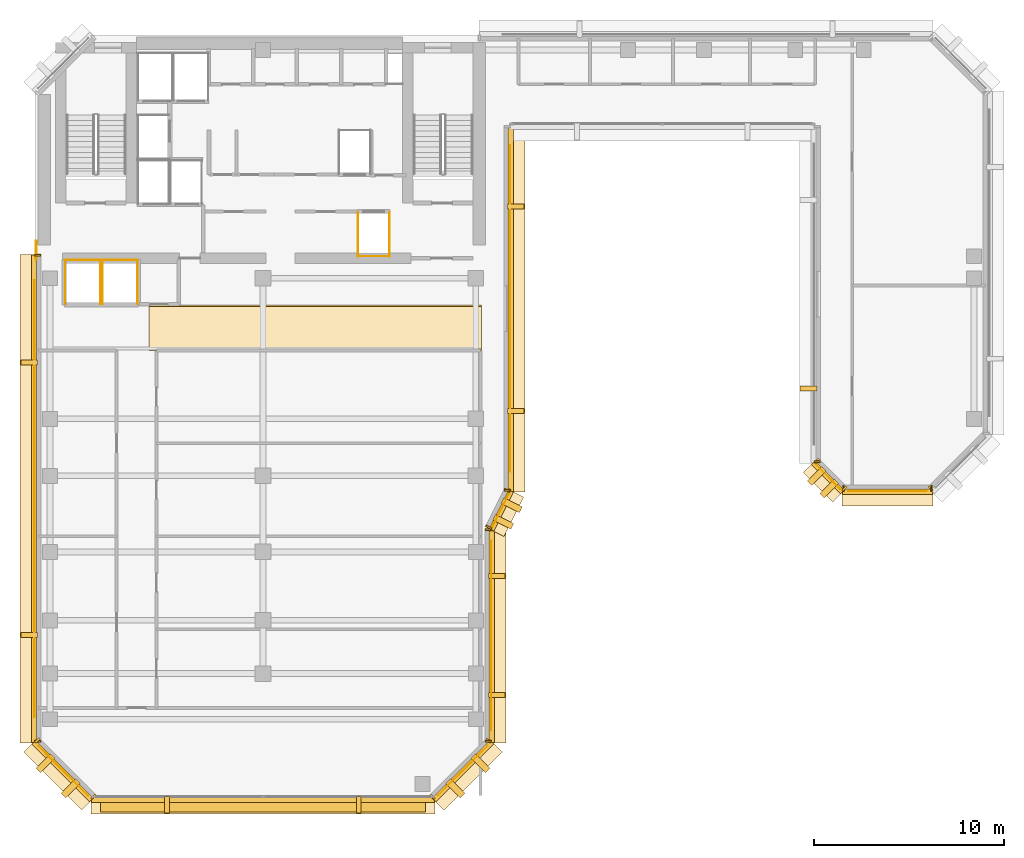
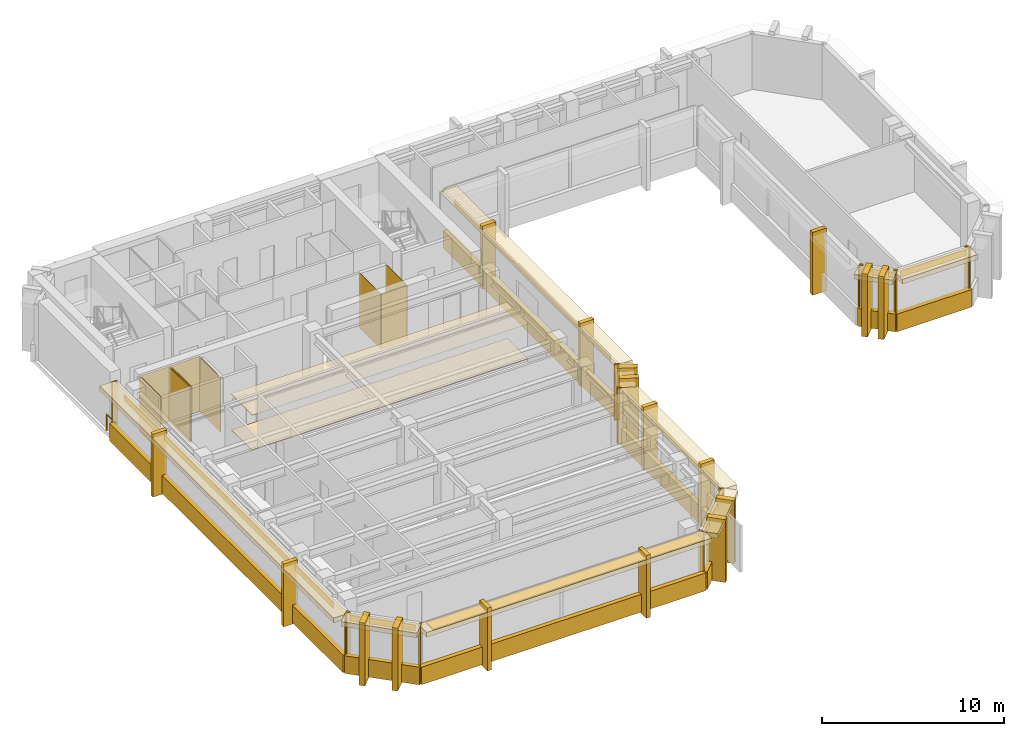
# One storey, part 9 of 12: 71 coverings, 1 railing, 1 shading device.
"""IFC4 building model written with IfcOpenShell, lengths in metres."""

from ifc_helpers import new_model, si_unit, direction, frame, origin, origin_2d, place, context, subcontext, project, spatial, polyline, rectangle, circle, outline, extrude, material, layer, layer_set, type_object, element, save


model = new_model("IFC4")

# Units and contexts
model_context = context("Model", 3, precision=1e-05, world=origin(), true_north=direction((0.0, 1.0)))
body_context = subcontext(model_context, "Body", "Model", "MODEL_VIEW")
ifc_project = project(units=[si_unit("LENGTHUNIT", "METRE"), si_unit("AREAUNIT", "SQUARE_METRE"), si_unit("VOLUMEUNIT", "CUBIC_METRE"), si_unit("PLANEANGLEUNIT", "RADIAN"), si_unit("MASSUNIT", "GRAM", prefix="KILO")], contexts=[model_context])

# Site, building, storey
site_placement = place(None, origin())
site = spatial("IfcSite", under=ifc_project, at=site_placement, CompositionType="ELEMENT")
building_placement = place(site_placement, origin())
building = spatial("IfcBuilding", under=site, at=building_placement, Name="Kefirva Bronze Tower", CompositionType="ELEMENT")
storey_placement = place(building_placement, frame((0.0, 0.0, 235.6201171875)))
storey = spatial("IfcBuildingStorey", under=building, at=storey_placement, Name="L57", CompositionType="ELEMENT", Elevation=235.6201171875)

# Coverings
ifc_material_1 = material(Name="Acoustic mineral tile")
ifc_layer_1 = layer(ifc_material_1, 0.02490234375, Name="Acoustic mineral tile")
ifc_layer_set_1 = layer_set([ifc_layer_1], Name="Acoustic mineral tile")
covering_type_1 = type_object("IfcCoveringType", Name="Acoustic Mineral Suspended Ceiling 25mm", PredefinedType="CEILING", material=ifc_layer_set_1)
covering_1_placement = place(storey_placement, frame((0.0, 0.0, 2.39990234375)))
element("IfcCovering", 1, at=covering_1_placement, inside=storey, type_object=covering_type_1, Name="L57 Corridor Acoustic Ceiling", PredefinedType="CEILING", context=body_context, shape_type="SweptSolid", body=[
    extrude(outline(polyline([(6.0, 29.39990234375), (23.5, 29.39990234375), (23.5, 31.800048828125), (6.0, 31.800048828125), (6.0, 29.39990234375)])), origin(), (0.0, 0.0, 1.0), 0.02490234375),
])
ifc_material_2 = material(Name="Bronze anodised aluminium", Category="aluminium")
ifc_layer_2 = layer(ifc_material_2, 0.02001953125, Name="Bronze anodised aluminium")
ifc_layer_set_2 = layer_set([ifc_layer_2], Name="Bronze anodised aluminium")
covering_type_2 = type_object("IfcCoveringType", Name="Anodised Bronze Spandrel Cladding 20mm", PredefinedType="CLADDING", material=ifc_layer_set_2)
covering_2_placement = place(storey_placement, frame((12.0, 5.760009765625, -0.16015625), z_axis=(0.0, 0.0, 1.0), x_axis=(1.0, 0.0, 0.0)))
element("IfcCovering", 2, at=covering_2_placement, inside=storey, type_object=covering_type_2, Name="L57 Streamline Horizontal Spandrel Band 0", PredefinedType="CLADDING", context=body_context, shape_type="SweptSolid", body=[
    extrude(rectangle(XDim=18.0400390625, YDim=0.280029296875, at=origin_2d()), origin(), (0.0, 0.0, 1.0), 1.179931640625),
])
covering_3_placement = place(storey_placement, frame((22.507080078125, 7.29296875, 3.2900390625), z_axis=(0.0, 0.0, 1.0), x_axis=(0.707106781187, 0.707106781187, 0.0)))
element("IfcCovering", 3, at=covering_3_placement, inside=storey, type_object=covering_type_2, Name="L57 Bronze Spandrel Cladding 1", PredefinedType="CLADDING", context=body_context, shape_type="SweptSolid", body=[
    extrude(rectangle(XDim=3.719482421875, YDim=0.02001953125, at=origin_2d()), origin(), (0.0, 0.0, 1.0), 0.39990234375),
])
for number, where, z_axis, x_axis, name in (
    (4, (20.91162109375, 5.93798828125, 0.0), (0.0, 0.0, 1.0), (0.707106781187, 0.707106781187, 0.0), "L57 Facade Joint Closure Panel 1S"),
    (5, (23.862060546875, 8.88818359375, 0.0), (0.0, 0.0, 1.0), (0.707106781187, 0.707106781187, 0.0), "L57 Facade Joint Closure Panel 1E"),
):
    element("IfcCovering", number, at=place(storey_placement, frame(where, z_axis=z_axis, x_axis=x_axis)), inside=storey, type_object=covering_type_2, Name=name, PredefinedType="CLADDING", context=body_context, shape_type="SweptSolid", body=[
        extrude(rectangle(XDim=0.10009765625, YDim=0.320068359375, at=origin_2d()), origin(), (0.0, 0.0, 1.0), 3.7099609375),
    ])
covering_4_placement = place(storey_placement, frame((22.5283203125, 7.271728515625, -0.16015625), z_axis=(0.0, 0.0, 1.0), x_axis=(0.707106781187, 0.707106781187, 0.0)))
element("IfcCovering", 6, at=covering_4_placement, inside=storey, type_object=covering_type_2, Name="L57 Streamline Horizontal Spandrel Band 1", PredefinedType="CLADDING", context=body_context, shape_type="SweptSolid", body=[
    extrude(rectangle(XDim=4.28271484375, YDim=0.280029296875, at=origin_2d()), origin(), (0.0, 0.0, 1.0), 1.179931640625),
])
covering_5_placement = place(storey_placement, frame((24.010009765625, 14.39990234375, 3.2900390625), z_axis=(0.0, 0.0, 1.0), x_axis=(0.0, 1.0, 0.0)))
element("IfcCovering", 7, at=covering_5_placement, inside=storey, type_object=covering_type_2, Name="L57 Bronze Spandrel Cladding 2", PredefinedType="CLADDING", context=body_context, shape_type="SweptSolid", body=[
    extrude(rectangle(XDim=9.98095703125, YDim=0.02001953125, at=origin_2d()), origin(), (0.0, 0.0, 1.0), 0.39990234375),
])
for number, where, z_axis, x_axis, name in (
    (8, (23.840087890625, 8.8349609375, 0.0), (0.0, 0.0, 1.0), (0.0, 1.0, 0.0), "L57 Facade Joint Closure Panel 2S"),
    (9, (23.840087890625, 19.965087890625, 0.0), (0.0, 0.0, 1.0), (0.0, 1.0, 0.0), "L57 Facade Joint Closure Panel 2E"),
):
    element("IfcCovering", number, at=place(storey_placement, frame(where, z_axis=z_axis, x_axis=x_axis)), inside=storey, type_object=covering_type_2, Name=name, PredefinedType="CLADDING", context=body_context, shape_type="SweptSolid", body=[
        extrude(rectangle(XDim=0.10009765625, YDim=0.320068359375, at=origin_2d()), origin(), (0.0, 0.0, 1.0), 3.7099609375),
    ])
covering_6_placement = place(storey_placement, frame((24.0400390625, 14.39990234375, -0.16015625), z_axis=(0.0, 0.0, 1.0), x_axis=(0.0, 1.0, 0.0)))
element("IfcCovering", 10, at=covering_6_placement, inside=storey, type_object=covering_type_2, Name="L57 Streamline Horizontal Spandrel Band 2", PredefinedType="CLADDING", context=body_context, shape_type="SweptSolid", body=[
    extrude(rectangle(XDim=11.239990234375, YDim=0.280029296875, at=origin_2d()), origin(), (0.0, 0.0, 1.0), 1.179931640625),
])
covering_7_placement = place(storey_placement, frame((24.5087890625, 20.99560546875, 3.2900390625), z_axis=(0.0, 0.0, 1.0), x_axis=(0.44721435766, 0.89442680992, 0.0)))
element("IfcCovering", 11, at=covering_7_placement, inside=storey, type_object=covering_type_2, Name="L57 Bronze Spandrel Cladding 3", PredefinedType="CLADDING", context=body_context, shape_type="SweptSolid", body=[
    extrude(rectangle(XDim=1.91357421875, YDim=0.02001953125, at=origin_2d()), origin(), (0.0, 0.0, 1.0), 0.39990234375),
])
for number, where, z_axis, x_axis, name in (
    (12, (23.87255859375, 20.102783203125, 0.0), (0.0, 0.0, 1.0), (0.44721435766, 0.89442680992, 0.0), "L57 Facade Joint Closure Panel 3S"),
    (13, (24.84130859375, 22.040283203125, 0.0), (0.0, 0.0, 1.0), (0.44721435766, 0.89442680992, 0.0), "L57 Facade Joint Closure Panel 3E"),
):
    element("IfcCovering", number, at=place(storey_placement, frame(where, z_axis=z_axis, x_axis=x_axis)), inside=storey, type_object=covering_type_2, Name=name, PredefinedType="CLADDING", context=body_context, shape_type="SweptSolid", body=[
        extrude(rectangle(XDim=0.10009765625, YDim=0.320068359375, at=origin_2d()), origin(), (0.0, 0.0, 1.0), 3.7099609375),
    ])
covering_8_placement = place(storey_placement, frame((24.535888671875, 20.982177734375, -0.16015625), z_axis=(0.0, 0.0, 1.0), x_axis=(0.44721435766, 0.89442680992, 0.0)))
element("IfcCovering", 14, at=covering_8_placement, inside=storey, type_object=covering_type_2, Name="L57 Streamline Horizontal Spandrel Band 3", PredefinedType="CLADDING", context=body_context, shape_type="SweptSolid", body=[
    extrude(rectangle(XDim=2.276123046875, YDim=0.280029296875, at=origin_2d()), origin(), (0.0, 0.0, 1.0), 1.179931640625),
])
covering_9_placement = place(storey_placement, frame((25.010009765625, 31.60009765625, 3.2900390625), z_axis=(0.0, 0.0, 1.0), x_axis=(0.0, 1.0, 0.0)))
element("IfcCovering", 15, at=covering_9_placement, inside=storey, type_object=covering_type_2, Name="L57 Bronze Spandrel Cladding 4", PredefinedType="CLADDING", context=body_context, shape_type="SweptSolid", body=[
    extrude(rectangle(XDim=17.180908203125, YDim=0.02001953125, at=origin_2d()), origin(), (0.0, 0.0, 1.0), 0.39990234375),
])
covering_10_placement = place(storey_placement, frame((24.840087890625, 22.034912109375, 0.0), z_axis=(0.0, 0.0, 1.0), x_axis=(0.0, 1.0, 0.0)))
element("IfcCovering", 16, at=covering_10_placement, inside=storey, type_object=covering_type_2, Name="L57 Facade Joint Closure Panel 4S", PredefinedType="CLADDING", context=body_context, shape_type="SweptSolid", body=[
    extrude(rectangle(XDim=0.10009765625, YDim=0.320068359375, at=origin_2d()), origin(), (0.0, 0.0, 1.0), 3.7099609375),
])
covering_11_placement = place(storey_placement, frame((25.0400390625, 31.60009765625, -0.16015625), z_axis=(0.0, 0.0, 1.0), x_axis=(0.0, 1.0, 0.0)))
element("IfcCovering", 17, at=covering_11_placement, inside=storey, type_object=covering_type_2, Name="L57 Streamline Horizontal Spandrel Band 5", PredefinedType="CLADDING", context=body_context, shape_type="SweptSolid", body=[
    extrude(rectangle(XDim=19.239990234375, YDim=0.280029296875, at=origin_2d()), origin(), (0.0, 0.0, 1.0), 1.179931640625),
])
covering_12_placement = place(storey_placement, frame((41.159912109375, 23.534912109375, 0.0), z_axis=(0.0, 0.0, 1.0), x_axis=(0.0, -1.0, 0.0)))
element("IfcCovering", 18, at=covering_12_placement, inside=storey, type_object=covering_type_2, Name="L57 Facade Joint Closure Panel 5E", PredefinedType="CLADDING", context=body_context, shape_type="SweptSolid", body=[
    extrude(rectangle(XDim=0.10009765625, YDim=0.320068359375, at=origin_2d()), origin(), (0.0, 0.0, 1.0), 3.7099609375),
])
covering_13_placement = place(storey_placement, frame((41.742919921875, 22.742919921875, 3.2900390625), z_axis=(0.0, 0.0, 1.0), x_axis=(0.707106781187, -0.707106781187, 0.0)))
element("IfcCovering", 19, at=covering_13_placement, inside=storey, type_object=covering_type_2, Name="L57 Bronze Spandrel Cladding 6", PredefinedType="CLADDING", context=body_context, shape_type="SweptSolid", body=[
    extrude(rectangle(XDim=1.810302734375, YDim=0.02001953125, at=origin_2d()), origin(), (0.0, 0.0, 1.0), 0.39990234375),
])
for number, where, z_axis, x_axis, name in (
    (20, (41.137939453125, 23.58837890625, 0.0), (0.0, 0.0, 1.0), (0.707106781187, -0.707106781187, 0.0), "L57 Facade Joint Closure Panel 6S"),
    (21, (42.58837890625, 22.137939453125, 0.0), (0.0, 0.0, 1.0), (0.707106781187, -0.707106781187, 0.0), "L57 Facade Joint Closure Panel 6E"),
):
    element("IfcCovering", number, at=place(storey_placement, frame(where, z_axis=z_axis, x_axis=x_axis)), inside=storey, type_object=covering_type_2, Name=name, PredefinedType="CLADDING", context=body_context, shape_type="SweptSolid", body=[
        extrude(rectangle(XDim=0.10009765625, YDim=0.320068359375, at=origin_2d()), origin(), (0.0, 0.0, 1.0), 3.7099609375),
    ])
covering_14_placement = place(storey_placement, frame((41.7216796875, 22.7216796875, -0.16015625), z_axis=(0.0, 0.0, 1.0), x_axis=(0.707106781187, -0.707106781187, 0.0)))
element("IfcCovering", 22, at=covering_14_placement, inside=storey, type_object=covering_type_2, Name="L57 Streamline Horizontal Spandrel Band 8", PredefinedType="CLADDING", context=body_context, shape_type="SweptSolid", body=[
    extrude(rectangle(XDim=2.161376953125, YDim=0.280029296875, at=origin_2d()), origin(), (0.0, 0.0, 1.0), 1.179931640625),
])
covering_15_placement = place(storey_placement, frame((44.85009765625, 21.989990234375, 3.2900390625), z_axis=(0.0, 0.0, 1.0), x_axis=(1.0, 0.0, 0.0)))
element("IfcCovering", 23, at=covering_15_placement, inside=storey, type_object=covering_type_2, Name="L57 Bronze Spandrel Cladding 7", PredefinedType="CLADDING", context=body_context, shape_type="SweptSolid", body=[
    extrude(rectangle(XDim=4.131103515625, YDim=0.02001953125, at=origin_2d()), origin(), (0.0, 0.0, 1.0), 0.39990234375),
])
for number, where, z_axis, x_axis, name in (
    (24, (42.534912109375, 22.159912109375, 0.0), (0.0, 0.0, 1.0), (1.0, 0.0, 0.0), "L57 Facade Joint Closure Panel 7S"),
    (25, (47.1650390625, 22.159912109375, 0.0), (0.0, 0.0, 1.0), (1.0, 0.0, 0.0), "L57 Facade Joint Closure Panel 7E"),
):
    element("IfcCovering", number, at=place(storey_placement, frame(where, z_axis=z_axis, x_axis=x_axis)), inside=storey, type_object=covering_type_2, Name=name, PredefinedType="CLADDING", context=body_context, shape_type="SweptSolid", body=[
        extrude(rectangle(XDim=0.10009765625, YDim=0.320068359375, at=origin_2d()), origin(), (0.0, 0.0, 1.0), 3.7099609375),
    ])
covering_16_placement = place(storey_placement, frame((44.85009765625, 21.9599609375, -0.16015625), z_axis=(0.0, 0.0, 1.0), x_axis=(1.0, 0.0, 0.0)))
element("IfcCovering", 26, at=covering_16_placement, inside=storey, type_object=covering_type_2, Name="L57 Streamline Horizontal Spandrel Band 9", PredefinedType="CLADDING", context=body_context, shape_type="SweptSolid", body=[
    extrude(rectangle(XDim=4.739990234375, YDim=0.280029296875, at=origin_2d()), origin(), (0.0, 0.0, 1.0), 1.179931640625),
])
covering_17_placement = place(storey_placement, frame((47.11181640625, 22.137939453125, 0.0), z_axis=(0.0, 0.0, 1.0), x_axis=(0.707106781187, 0.707106781187, 0.0)))
element("IfcCovering", 27, at=covering_17_placement, inside=storey, type_object=covering_type_2, Name="L57 Facade Joint Closure Panel 8S", PredefinedType="CLADDING", context=body_context, shape_type="SweptSolid", body=[
    extrude(rectangle(XDim=0.10009765625, YDim=0.320068359375, at=origin_2d()), origin(), (0.0, 0.0, 1.0), 3.7099609375),
])
covering_18_placement = place(storey_placement, frame((-0.010009765625, 21.597412109375, 3.2900390625), z_axis=(0.0, 0.0, 1.0), x_axis=(0.0, -1.0, 0.0)))
element("IfcCovering", 28, at=covering_18_placement, inside=storey, type_object=covering_type_2, Name="L57 Bronze Spandrel Cladding 13", PredefinedType="CLADDING", context=body_context, shape_type="SweptSolid", body=[
    extrude(rectangle(XDim=22.986083984375, YDim=0.02001953125, at=origin_2d()), origin(), (0.0, 0.0, 1.0), 0.39990234375),
])
for number, where, z_axis, x_axis, name in (
    (29, (0.159912109375, 34.4150390625, 0.0), (0.0, 0.0, 1.0), (0.0, -1.0, 0.0), "L57 Facade Joint Closure Panel 13S"),
    (30, (0.159912109375, 8.8349609375, 0.0), (0.0, 0.0, 1.0), (0.0, -1.0, 0.0), "L57 Facade Joint Closure Panel 13E"),
):
    element("IfcCovering", number, at=place(storey_placement, frame(where, z_axis=z_axis, x_axis=x_axis)), inside=storey, type_object=covering_type_2, Name=name, PredefinedType="CLADDING", context=body_context, shape_type="SweptSolid", body=[
        extrude(rectangle(XDim=0.10009765625, YDim=0.320068359375, at=origin_2d()), origin(), (0.0, 0.0, 1.0), 3.7099609375),
    ])
covering_19_placement = place(storey_placement, frame((-0.0400390625, 21.597412109375, -0.16015625), z_axis=(0.0, 0.0, 1.0), x_axis=(0.0, -1.0, 0.0)))
element("IfcCovering", 31, at=covering_19_placement, inside=storey, type_object=covering_type_2, Name="L57 Streamline Horizontal Spandrel Band 15", PredefinedType="CLADDING", context=body_context, shape_type="SweptSolid", body=[
    extrude(rectangle(XDim=25.635009765625, YDim=0.280029296875, at=origin_2d()), origin(), (0.0, 0.0, 1.0), 1.179931640625),
])
covering_20_placement = place(storey_placement, frame((1.492919921875, 7.29296875, 3.2900390625), z_axis=(0.0, 0.0, 1.0), x_axis=(0.707106781187, -0.707106781187, 0.0)))
element("IfcCovering", 32, at=covering_20_placement, inside=storey, type_object=covering_type_2, Name="L57 Bronze Spandrel Cladding 14", PredefinedType="CLADDING", context=body_context, shape_type="SweptSolid", body=[
    extrude(rectangle(XDim=3.719482421875, YDim=0.02001953125, at=origin_2d()), origin(), (0.0, 0.0, 1.0), 0.39990234375),
])
for number, where, z_axis, x_axis, name in (
    (33, (0.137939453125, 8.88818359375, 0.0), (0.0, 0.0, 1.0), (0.707106781187, -0.707106781187, 0.0), "L57 Facade Joint Closure Panel 14S"),
    (34, (3.08837890625, 5.93798828125, 0.0), (0.0, 0.0, 1.0), (0.707106781187, -0.707106781187, 0.0), "L57 Facade Joint Closure Panel 14E"),
):
    element("IfcCovering", number, at=place(storey_placement, frame(where, z_axis=z_axis, x_axis=x_axis)), inside=storey, type_object=covering_type_2, Name=name, PredefinedType="CLADDING", context=body_context, shape_type="SweptSolid", body=[
        extrude(rectangle(XDim=0.10009765625, YDim=0.320068359375, at=origin_2d()), origin(), (0.0, 0.0, 1.0), 3.7099609375),
    ])
covering_21_placement = place(storey_placement, frame((1.4716796875, 7.271728515625, -0.16015625), z_axis=(0.0, 0.0, 1.0), x_axis=(0.707106781187, -0.707106781187, 0.0)))
element("IfcCovering", 35, at=covering_21_placement, inside=storey, type_object=covering_type_2, Name="L57 Streamline Horizontal Spandrel Band 16", PredefinedType="CLADDING", context=body_context, shape_type="SweptSolid", body=[
    extrude(rectangle(XDim=4.28271484375, YDim=0.280029296875, at=origin_2d()), origin(), (0.0, 0.0, 1.0), 1.179931640625),
])
covering_22_placement = place(storey_placement, origin())
element("IfcCovering", 36, at=covering_22_placement, inside=storey, type_object=covering_type_2, Name="L57 Lift OB1 Hoistway Liner N", PredefinedType="CLADDING", context=body_context, shape_type="SweptSolid", body=[
    extrude(outline(polyline([(1.580078125, 34.139892578125), (3.469970703125, 34.139892578125), (3.469970703125, 34.159912109375), (1.580078125, 34.159912109375), (1.580078125, 34.139892578125)])), origin(), (0.0, 0.0, 1.0), 3.7099609375),
])
covering_23_placement = place(storey_placement, origin())
element("IfcCovering", 37, at=covering_23_placement, inside=storey, type_object=covering_type_2, Name="L57 Lift OB1 Hoistway Liner W", PredefinedType="CLADDING", context=body_context, shape_type="SweptSolid", body=[
    extrude(outline(polyline([(1.590087890625, 31.830078125), (1.610107421875, 31.830078125), (1.610107421875, 34.169921875), (1.590087890625, 34.169921875), (1.590087890625, 31.830078125)])), origin(), (0.0, 0.0, 1.0), 3.7099609375),
])
covering_24_placement = place(storey_placement, origin())
element("IfcCovering", 38, at=covering_24_placement, inside=storey, type_object=covering_type_2, Name="L57 Lift OB1 Hoistway Liner E", PredefinedType="CLADDING", context=body_context, shape_type="SweptSolid", body=[
    extrude(outline(polyline([(3.43994140625, 31.830078125), (3.4599609375, 31.830078125), (3.4599609375, 34.169921875), (3.43994140625, 34.169921875), (3.43994140625, 31.830078125)])), origin(), (0.0, 0.0, 1.0), 3.7099609375),
])
covering_25_placement = place(storey_placement, origin())
element("IfcCovering", 39, at=covering_25_placement, inside=storey, type_object=covering_type_2, Name="L57 Lift OB2 Hoistway Liner N", PredefinedType="CLADDING", context=body_context, shape_type="SweptSolid", body=[
    extrude(outline(polyline([(3.530029296875, 34.139892578125), (5.419921875, 34.139892578125), (5.419921875, 34.159912109375), (3.530029296875, 34.159912109375), (3.530029296875, 34.139892578125)])), origin(), (0.0, 0.0, 1.0), 3.7099609375),
])
covering_26_placement = place(storey_placement, origin())
element("IfcCovering", 40, at=covering_26_placement, inside=storey, type_object=covering_type_2, Name="L57 Lift OB2 Hoistway Liner W", PredefinedType="CLADDING", context=body_context, shape_type="SweptSolid", body=[
    extrude(outline(polyline([(3.5400390625, 31.830078125), (3.56005859375, 31.830078125), (3.56005859375, 34.169921875), (3.5400390625, 34.169921875), (3.5400390625, 31.830078125)])), origin(), (0.0, 0.0, 1.0), 3.7099609375),
])
covering_27_placement = place(storey_placement, origin())
element("IfcCovering", 41, at=covering_27_placement, inside=storey, type_object=covering_type_2, Name="L57 Lift OB2 Hoistway Liner E", PredefinedType="CLADDING", context=body_context, shape_type="SweptSolid", body=[
    extrude(outline(polyline([(5.389892578125, 31.830078125), (5.409912109375, 31.830078125), (5.409912109375, 34.169921875), (5.389892578125, 34.169921875), (5.389892578125, 31.830078125)])), origin(), (0.0, 0.0, 1.0), 3.7099609375),
])
covering_28_placement = place(storey_placement, origin())
element("IfcCovering", 42, at=covering_28_placement, inside=storey, type_object=covering_type_2, Name="L57 Lift HP1 Hoistway Liner S", PredefinedType="CLADDING", context=body_context, shape_type="SweptSolid", body=[
    extrude(outline(polyline([(16.97998046875, 34.340087890625), (18.669921875, 34.340087890625), (18.669921875, 34.360107421875), (16.97998046875, 34.360107421875), (16.97998046875, 34.340087890625)])), origin(), (0.0, 0.0, 1.0), 3.7099609375),
])
covering_29_placement = place(storey_placement, origin())
element("IfcCovering", 43, at=covering_29_placement, inside=storey, type_object=covering_type_2, Name="L57 Lift HP1 Hoistway Liner W", PredefinedType="CLADDING", context=body_context, shape_type="SweptSolid", body=[
    extrude(outline(polyline([(16.989990234375, 34.330078125), (17.010009765625, 34.330078125), (17.010009765625, 36.669921875), (16.989990234375, 36.669921875), (16.989990234375, 34.330078125)])), origin(), (0.0, 0.0, 1.0), 3.7099609375),
])
covering_30_placement = place(storey_placement, origin())
element("IfcCovering", 44, at=covering_30_placement, inside=storey, type_object=covering_type_2, Name="L57 Lift HP1 Hoistway Liner E", PredefinedType="CLADDING", context=body_context, shape_type="SweptSolid", body=[
    extrude(outline(polyline([(18.639892578125, 34.330078125), (18.659912109375, 34.330078125), (18.659912109375, 36.669921875), (18.639892578125, 36.669921875), (18.639892578125, 34.330078125)])), origin(), (0.0, 0.0, 1.0), 3.7099609375),
])

# Shading device
ifc_layer_3 = layer(ifc_material_2, 0.090087890625, Name="Bronze anodised aluminium")
ifc_layer_set_3 = layer_set([ifc_layer_3], Name="Bronze anodised aluminium")
shading_device_type = type_object("IfcShadingDeviceType", Name="Horizontal Bronze Sunshade Band 750mm", PredefinedType="JALOUSIE", material=ifc_layer_set_3)
shading_device_placement = place(storey_placement, frame((12.0, 5.5048828125, 3.60498046875), z_axis=(0.0, 0.0, 1.0), x_axis=(1.0, 0.0, 0.0)))
element("IfcShadingDevice", 45, at=shading_device_placement, inside=storey, type_object=shading_device_type, Name="L57 Horizontal Bronze Sunshade Band 0", PredefinedType="JALOUSIE", context=body_context, shape_type="SweptSolid", body=[
    extrude(rectangle(XDim=17.090087890625, YDim=0.75, at=origin_2d()), origin(), (0.0, 0.0, 1.0), 0.090087890625),
])

# Railing
ifc_material_3 = material(Name="Stainless steel 316", Category="steel")
railing_type = type_object("IfcRailingType", Name="Interior Stair Guardrail 1100mm", PredefinedType="GUARDRAIL", material=ifc_material_3)
railing_placement = place(storey_placement, frame((0.080078125, 34.199951171875, 0.0)))
element("IfcRailing", 46, at=railing_placement, inside=storey, type_object=railing_type, Name="L57 West Core Junction Guardrail", PredefinedType="GUARDRAIL", context=body_context, shape_type="SweptSolid", body=[
    extrude(circle(Radius=0.02392578125, at=origin_2d()), frame((0.0, 0.0, 1.076171875), z_axis=(0.0, 1.0, 0.0), x_axis=(-1.0, 0.0, 0.0)), (0.0, 0.0, 1.0), 0.949951171875),
    extrude(circle(Radius=0.02099609375, at=origin_2d()), origin(), (0.0, 0.0, 1.0), 1.052001953125),
    extrude(circle(Radius=0.02099609375, at=origin_2d()), frame((0.0, 0.949951171875, 0.0)), (0.0, 0.0, 1.0), 1.052001953125),
])

# Coverings
ifc_material_4 = material(Name="Calcium sulphate access tile")
ifc_layer_4 = layer(ifc_material_4, 0.044921875, Name="Calcium sulphate access tile")
ifc_layer_set_4 = layer_set([ifc_layer_4], Name="Calcium sulphate access tile")
covering_type_3 = type_object("IfcCoveringType", Name="Raised Access Office Flooring 45mm", PredefinedType="FLOORING", material=ifc_layer_set_4)
covering_31_placement = place(storey_placement, origin())
element("IfcCovering", 47, at=covering_31_placement, inside=storey, type_object=covering_type_3, Name="L57 Architectural Finish Flooring", PredefinedType="FLOORING", context=body_context, shape_type="SweptSolid", body=[
    extrude(outline(polyline([(6.0, 29.47998046875), (23.5, 29.47998046875), (23.5, 31.719970703125), (6.0, 31.719970703125), (6.0, 29.47998046875)])), origin(), (0.0, 0.0, 1.0), 0.044921875),
])
ifc_layer_5 = layer(ifc_material_2, 0.179931640625, Name="Bronze anodised aluminium")
ifc_layer_set_5 = layer_set([ifc_layer_5], Name="Bronze anodised aluminium")
covering_type_4 = type_object("IfcCoveringType", Name="Streamline Bronze Sunshade Eyebrow Cladding 180mm", PredefinedType="CLADDING", material=ifc_layer_set_5)
covering_32_placement = place(storey_placement, frame((12.0, 5.489990234375, 3.3896484375), z_axis=(0.0, 0.0, 1.0), x_axis=(1.0, 0.0, 0.0)))
element("IfcCovering", 48, at=covering_32_placement, inside=storey, type_object=covering_type_4, Name="L57 Streamline Bronze Sunshade Eyebrow 0", PredefinedType="CLADDING", context=body_context, shape_type="SweptSolid", body=[
    extrude(rectangle(XDim=18.080078125, YDim=0.93994140625, at=origin_2d()), origin(), (0.0, 0.0, 1.0), 0.320068359375),
])
covering_33_placement = place(storey_placement, frame((22.71923828125, 7.080810546875, 3.3896484375), z_axis=(0.0, 0.0, 1.0), x_axis=(0.707106781187, 0.707106781187, 0.0)))
element("IfcCovering", 49, at=covering_33_placement, inside=storey, type_object=covering_type_4, Name="L57 Streamline Bronze Sunshade Eyebrow 1", PredefinedType="CLADDING", context=body_context, shape_type="SweptSolid", body=[
    extrude(rectangle(XDim=4.322509765625, YDim=0.93994140625, at=origin_2d()), origin(), (0.0, 0.0, 1.0), 0.320068359375),
])
covering_34_placement = place(storey_placement, frame((24.31005859375, 14.39990234375, 3.3896484375), z_axis=(0.0, 0.0, 1.0), x_axis=(0.0, 1.0, 0.0)))
element("IfcCovering", 50, at=covering_34_placement, inside=storey, type_object=covering_type_4, Name="L57 Streamline Bronze Sunshade Eyebrow 2", PredefinedType="CLADDING", context=body_context, shape_type="SweptSolid", body=[
    extrude(rectangle(XDim=11.280029296875, YDim=0.93994140625, at=origin_2d()), origin(), (0.0, 0.0, 1.0), 0.320068359375),
])
covering_35_placement = place(storey_placement, frame((24.77734375, 20.861328125, 3.3896484375), z_axis=(0.0, 0.0, 1.0), x_axis=(0.44721435766, 0.89442680992, 0.0)))
element("IfcCovering", 51, at=covering_35_placement, inside=storey, type_object=covering_type_4, Name="L57 Streamline Bronze Sunshade Eyebrow 3", PredefinedType="CLADDING", context=body_context, shape_type="SweptSolid", body=[
    extrude(rectangle(XDim=2.316162109375, YDim=0.93994140625, at=origin_2d()), origin(), (0.0, 0.0, 1.0), 0.320068359375),
])
covering_36_placement = place(storey_placement, frame((25.31005859375, 31.60009765625, 3.3896484375), z_axis=(0.0, 0.0, 1.0), x_axis=(0.0, 1.0, 0.0)))
element("IfcCovering", 52, at=covering_36_placement, inside=storey, type_object=covering_type_4, Name="L57 Streamline Bronze Sunshade Eyebrow 5", PredefinedType="CLADDING", context=body_context, shape_type="SweptSolid", body=[
    extrude(rectangle(XDim=19.280029296875, YDim=0.93994140625, at=origin_2d()), origin(), (0.0, 0.0, 1.0), 0.320068359375),
])
covering_37_placement = place(storey_placement, frame((41.53076171875, 22.53076171875, 3.3896484375), z_axis=(0.0, 0.0, 1.0), x_axis=(0.707106781187, -0.707106781187, 0.0)))
element("IfcCovering", 53, at=covering_37_placement, inside=storey, type_object=covering_type_4, Name="L57 Streamline Bronze Sunshade Eyebrow 8", PredefinedType="CLADDING", context=body_context, shape_type="SweptSolid", body=[
    extrude(rectangle(XDim=2.201416015625, YDim=0.93994140625, at=origin_2d()), origin(), (0.0, 0.0, 1.0), 0.320068359375),
])
covering_38_placement = place(storey_placement, frame((44.85009765625, 21.68994140625, 3.3896484375), z_axis=(0.0, 0.0, 1.0), x_axis=(1.0, 0.0, 0.0)))
element("IfcCovering", 54, at=covering_38_placement, inside=storey, type_object=covering_type_4, Name="L57 Streamline Bronze Sunshade Eyebrow 9", PredefinedType="CLADDING", context=body_context, shape_type="SweptSolid", body=[
    extrude(rectangle(XDim=4.780029296875, YDim=0.93994140625, at=origin_2d()), origin(), (0.0, 0.0, 1.0), 0.320068359375),
])
covering_39_placement = place(storey_placement, frame((-0.31005859375, 21.597412109375, 3.3896484375), z_axis=(0.0, 0.0, 1.0), x_axis=(0.0, -1.0, 0.0)))
element("IfcCovering", 55, at=covering_39_placement, inside=storey, type_object=covering_type_4, Name="L57 Streamline Bronze Sunshade Eyebrow 15", PredefinedType="CLADDING", context=body_context, shape_type="SweptSolid", body=[
    extrude(rectangle(XDim=25.675048828125, YDim=0.93994140625, at=origin_2d()), origin(), (0.0, 0.0, 1.0), 0.320068359375),
])
covering_40_placement = place(storey_placement, frame((1.28076171875, 7.080810546875, 3.3896484375), z_axis=(0.0, 0.0, 1.0), x_axis=(0.707106781187, -0.707106781187, 0.0)))
element("IfcCovering", 56, at=covering_40_placement, inside=storey, type_object=covering_type_4, Name="L57 Streamline Bronze Sunshade Eyebrow 16", PredefinedType="CLADDING", context=body_context, shape_type="SweptSolid", body=[
    extrude(rectangle(XDim=4.322509765625, YDim=0.93994140625, at=origin_2d()), origin(), (0.0, 0.0, 1.0), 0.320068359375),
])
ifc_layer_6 = layer(ifc_material_2, 0.260009765625, Name="Bronze anodised aluminium")
ifc_layer_set_6 = layer_set([ifc_layer_6], Name="Bronze anodised aluminium")
covering_type_5 = type_object("IfcCoveringType", Name="Unbroken Bronze Buttress Fin Cladding 260mm", PredefinedType="CLADDING", material=ifc_layer_set_6)
for number, where, z_axis, x_axis, name in (
    (57, (6.9599609375, 5.5, -0.25), (0.0, 0.0, 1.0), (1.0, 0.0, 0.0), "L57 Unbroken Vertical Bronze Rib Fin 1"),
    (58, (17.0400390625, 5.5, -0.25), (0.0, 0.0, 1.0), (1.0, 0.0, 0.0), "L57 Unbroken Vertical Bronze Rib Fin 2"),
):
    element("IfcCovering", number, at=place(storey_placement, frame(where, z_axis=z_axis, x_axis=x_axis)), inside=storey, type_object=covering_type_5, Name=name, PredefinedType="CLADDING", context=body_context, shape_type="SweptSolid", body=[
        extrude(rectangle(XDim=0.260009765625, YDim=0.8798828125, at=origin_2d()), origin(), (0.0, 0.0, 1.0), 4.2099609375),
    ])
for number, where, z_axis, x_axis, name in (
    (59, (22.122802734375, 6.357177734375, -0.25), (0.0, 0.0, 1.0), (0.707106781187, 0.707106781187, 0.0), "L57 Chamfered Corner Buttress Fin Cladding 3"),
    (60, (23.44287109375, 7.67724609375, -0.25), (0.0, 0.0, 1.0), (0.707106781187, 0.707106781187, 0.0), "L57 Chamfered Corner Buttress Fin Cladding 4"),
):
    element("IfcCovering", number, at=place(storey_placement, frame(where, z_axis=z_axis, x_axis=x_axis)), inside=storey, type_object=covering_type_5, Name=name, PredefinedType="CLADDING", context=body_context, shape_type="SweptSolid", body=[
        extrude(rectangle(XDim=0.340087890625, YDim=1.080078125, at=origin_2d()), origin(), (0.0, 0.0, 1.0), 4.2099609375),
    ])
for number, where, z_axis, x_axis, name in (
    (61, (24.300048828125, 11.263916015625, -0.25), (0.0, 0.0, 1.0), (0.0, 1.0, 0.0), "L57 Unbroken Vertical Bronze Rib Fin 5"),
    (62, (24.300048828125, 17.535888671875, -0.25), (0.0, 0.0, 1.0), (0.0, 1.0, 0.0), "L57 Unbroken Vertical Bronze Rib Fin 6"),
):
    element("IfcCovering", number, at=place(storey_placement, frame(where, z_axis=z_axis, x_axis=x_axis)), inside=storey, type_object=covering_type_5, Name=name, PredefinedType="CLADDING", context=body_context, shape_type="SweptSolid", body=[
        extrude(rectangle(XDim=0.260009765625, YDim=0.8798828125, at=origin_2d()), origin(), (0.0, 0.0, 1.0), 4.2099609375),
    ])
for number, where, z_axis, x_axis, name in (
    (63, (24.6376953125, 20.381103515625, -0.25), (0.0, 0.0, 1.0), (0.44721435766, 0.89442680992, 0.0), "L57 Chamfered Corner Buttress Fin Cladding 7"),
    (64, (25.077880859375, 21.260986328125, -0.25), (0.0, 0.0, 1.0), (0.44721435766, 0.89442680992, 0.0), "L57 Chamfered Corner Buttress Fin Cladding 8"),
):
    element("IfcCovering", number, at=place(storey_placement, frame(where, z_axis=z_axis, x_axis=x_axis)), inside=storey, type_object=covering_type_5, Name=name, PredefinedType="CLADDING", context=body_context, shape_type="SweptSolid", body=[
        extrude(rectangle(XDim=0.340087890625, YDim=1.080078125, at=origin_2d()), origin(), (0.0, 0.0, 1.0), 4.2099609375),
    ])
for number, where, z_axis, x_axis, name in (
    (65, (25.300048828125, 26.22412109375, -0.25), (0.0, 0.0, 1.0), (0.0, 1.0, 0.0), "L57 Unbroken Vertical Bronze Rib Fin 9"),
    (66, (25.300048828125, 36.97607421875, -0.25), (0.0, 0.0, 1.0), (0.0, 1.0, 0.0), "L57 Unbroken Vertical Bronze Rib Fin 10"),
    (67, (40.699951171875, 27.39404296875, -0.25), (0.0, 0.0, 1.0), (0.0, -1.0, 0.0), "L57 Unbroken Vertical Bronze Rib Fin 14"),
):
    element("IfcCovering", number, at=place(storey_placement, frame(where, z_axis=z_axis, x_axis=x_axis)), inside=storey, type_object=covering_type_5, Name=name, PredefinedType="CLADDING", context=body_context, shape_type="SweptSolid", body=[
        extrude(rectangle(XDim=0.260009765625, YDim=0.8798828125, at=origin_2d()), origin(), (0.0, 0.0, 1.0), 4.2099609375),
    ])
for number, where, z_axis, x_axis, name in (
    (68, (41.13720703125, 22.797119140625, -0.25), (0.0, 0.0, 1.0), (0.707106781187, -0.707106781187, 0.0), "L57 Chamfered Corner Buttress Fin Cladding 15"),
    (69, (41.797119140625, 22.13720703125, -0.25), (0.0, 0.0, 1.0), (0.707106781187, -0.707106781187, 0.0), "L57 Chamfered Corner Buttress Fin Cladding 16"),
):
    element("IfcCovering", number, at=place(storey_placement, frame(where, z_axis=z_axis, x_axis=x_axis)), inside=storey, type_object=covering_type_5, Name=name, PredefinedType="CLADDING", context=body_context, shape_type="SweptSolid", body=[
        extrude(rectangle(XDim=0.340087890625, YDim=1.080078125, at=origin_2d()), origin(), (0.0, 0.0, 1.0), 4.2099609375),
    ])
for number, where, z_axis, x_axis, name in (
    (70, (-0.300048828125, 28.76416015625, -0.25), (0.0, 0.0, 1.0), (0.0, -1.0, 0.0), "L57 Unbroken Vertical Bronze Rib Fin 27"),
    (71, (-0.300048828125, 14.430908203125, -0.25), (0.0, 0.0, 1.0), (0.0, -1.0, 0.0), "L57 Unbroken Vertical Bronze Rib Fin 28"),
):
    element("IfcCovering", number, at=place(storey_placement, frame(where, z_axis=z_axis, x_axis=x_axis)), inside=storey, type_object=covering_type_5, Name=name, PredefinedType="CLADDING", context=body_context, shape_type="SweptSolid", body=[
        extrude(rectangle(XDim=0.260009765625, YDim=0.8798828125, at=origin_2d()), origin(), (0.0, 0.0, 1.0), 4.2099609375),
    ])
for number, where, z_axis, x_axis, name in (
    (72, (0.55712890625, 7.67724609375, -0.25), (0.0, 0.0, 1.0), (0.707106781187, -0.707106781187, 0.0), "L57 Chamfered Corner Buttress Fin Cladding 29"),
    (73, (1.877197265625, 6.357177734375, -0.25), (0.0, 0.0, 1.0), (0.707106781187, -0.707106781187, 0.0), "L57 Chamfered Corner Buttress Fin Cladding 30"),
):
    element("IfcCovering", number, at=place(storey_placement, frame(where, z_axis=z_axis, x_axis=x_axis)), inside=storey, type_object=covering_type_5, Name=name, PredefinedType="CLADDING", context=body_context, shape_type="SweptSolid", body=[
        extrude(rectangle(XDim=0.340087890625, YDim=1.080078125, at=origin_2d()), origin(), (0.0, 0.0, 1.0), 4.2099609375),
    ])

save(model, "model.ifc")
